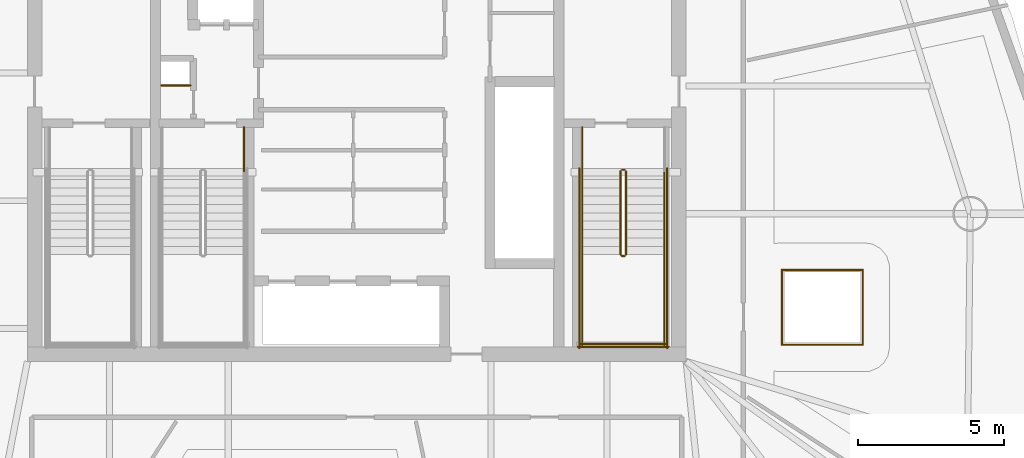
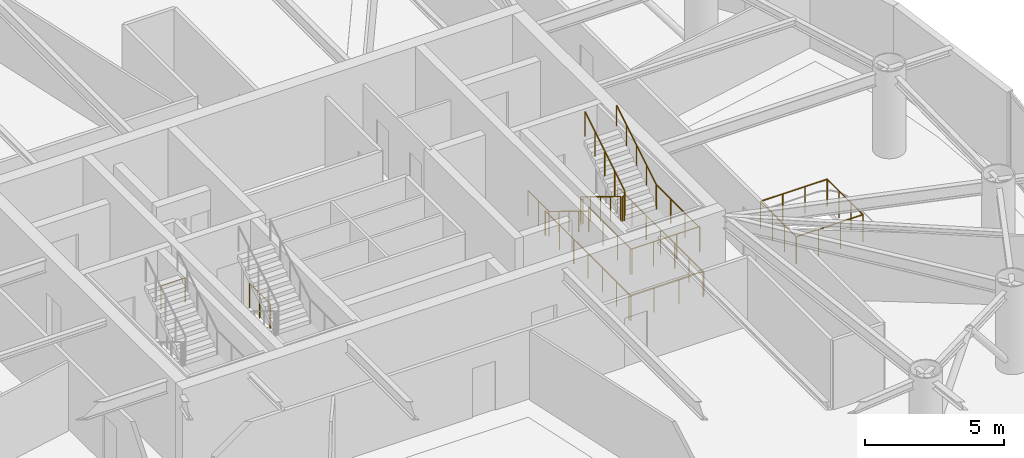
# One storey, part 21 of 22: 19 railings.
"""IFC4 building model written with IfcOpenShell, lengths in metres."""

import ifcopenshell
import ifcopenshell.guid

model = None  # the IFC model being written
_history = None  # IfcOwnerHistory: only IFC2X3 demands one
_inside = {}  # id of a spatial element -> (the spatial element, [elements in it])
_under = {}  # id of a project, library or spatial element -> (it, [spatial elements below it])
_declared = {}  # id of a project -> (the project, [libraries it declares])
_typed = {}  # id of a type object -> (the type object, [elements of that type])
_made_of = {}  # id of a material, layer set ... -> (it, [elements and type objects made of it])


def new_model(schema):
    """Start an empty IFC model of exactly this schema.

    Asked for "IFC4X3", IfcOpenShell would pick the latest addendum, in which some entities
    have other attributes; the version numbers below select the first issue.
    IFC2X3 requires an IfcOwnerHistory on every rooted entity: one is made here for all.
    """
    global model, _history
    if schema == "IFC4X3":
        model = ifcopenshell.file(schema_version=(4, 3, 0, 0))
    else:
        model = ifcopenshell.file(schema=schema)
    _inside.clear()
    _under.clear()
    _declared.clear()
    _typed.clear()
    _made_of.clear()
    _history = None
    if model.schema == "IFC2X3":
        org = make("IfcOrganization", Name="unknown")
        user = make(
            "IfcPersonAndOrganization",
            ThePerson=make("IfcPerson", FamilyName="unknown"),
            TheOrganization=org,
        )
        app = make(
            "IfcApplication",
            ApplicationDeveloper=org,
            Version="unknown",
            ApplicationFullName="unknown",
            ApplicationIdentifier="unknown",
        )
        _history = make(
            "IfcOwnerHistory",
            OwningUser=user,
            OwningApplication=app,
            ChangeAction="ADDED",
            CreationDate=0,
        )
    return model


def make(cls, **values):
    """One entity of the class cls with the attributes given. An attribute that is None is left unset."""
    return model.create_entity(
        cls, **{name: value for name, value in values.items() if value is not None}
    )


def rooted(cls, **values):
    """An entity with a GlobalId (a new one), such as an element, a storey or a relation."""
    return make(cls, GlobalId=ifcopenshell.guid.new(), OwnerHistory=_history, **values)


def si_unit(unit_type, name, prefix=None):
    """IfcSIUnit, for example si_unit("LENGTHUNIT", "METRE", prefix="MILLI")."""
    return make("IfcSIUnit", UnitType=unit_type, Prefix=prefix, Name=name)


def assignment(units):
    """IfcUnitAssignment: the units of a project."""
    return None if units is None else make("IfcUnitAssignment", Units=units)


def point(xyz):
    """IfcCartesianPoint."""
    return None if xyz is None else make("IfcCartesianPoint", Coordinates=xyz)


def direction(xyz):
    """IfcDirection."""
    return None if xyz is None else make("IfcDirection", DirectionRatios=xyz)


def frame(location, z_axis=None, x_axis=None):
    """IfcAxis2Placement3D, a coordinate frame: its origin and axes. An axis left out is left unset."""
    return make(
        "IfcAxis2Placement3D",
        Location=point(location),
        Axis=direction(z_axis),
        RefDirection=direction(x_axis),
    )


def frame_2d(location, x_axis=None):
    """IfcAxis2Placement2D, a coordinate frame in the plane: its origin and x axis."""
    return make(
        "IfcAxis2Placement2D", Location=point(location), RefDirection=direction(x_axis)
    )


def origin():
    """The frame at (0, 0, 0) with its axes left unset."""
    return frame((0.0, 0.0, 0.0))


def origin_2d():
    """The frame at (0, 0) in the plane with its x axis left unset."""
    return frame_2d((0.0, 0.0))


def place(relative_to, where):
    """IfcLocalPlacement: puts the frame where relative to a parent placement (None: the world)."""
    return make(
        "IfcLocalPlacement", PlacementRelTo=relative_to, RelativePlacement=where
    )


def context(
    kind, dimensions, precision=None, world=None, true_north=None, identifier=None
):
    """IfcGeometricRepresentationContext, for example the 3D "Model" context."""
    return make(
        "IfcGeometricRepresentationContext",
        ContextIdentifier=identifier,
        ContextType=kind,
        CoordinateSpaceDimension=dimensions,
        Precision=precision,
        WorldCoordinateSystem=world,
        TrueNorth=true_north,
    )


def subcontext(parent, identifier, kind, view, scale=None):
    """IfcGeometricRepresentationSubContext, for example "Body" below "Model"."""
    return make(
        "IfcGeometricRepresentationSubContext",
        ContextIdentifier=identifier,
        ContextType=kind,
        ParentContext=parent,
        TargetScale=scale,
        TargetView=view,
    )


def project(units=None, contexts=None):
    """IfcProject with its units and contexts."""
    return rooted(
        "IfcProject",
        Name="project",
        RepresentationContexts=contexts,
        UnitsInContext=assignment(units),
    )


def spatial(cls, under=None, at=None, **own):
    """A site, building, storey or space (cls), placed at a placement, below another one or the project."""
    s = rooted(cls, ObjectPlacement=at, **own)
    if under is not None:
        _under.setdefault(under.id(), (under, []))[1].append(s)
    return s


def profile(cls, at=None, kind="AREA", **sizes):
    """A parametric profile (cls). Its sizes go by their IFC names, for example OverallWidth=200.0."""
    return make(cls, ProfileType=kind, Position=at, **sizes)


def circle(**sizes):
    """IfcCircleProfileDef."""
    return profile("IfcCircleProfileDef", **sizes)


def extrude(swept, where, along, depth):
    """IfcExtrudedAreaSolid: the profile swept, set in the frame where, extruded along a direction by depth."""
    return make(
        "IfcExtrudedAreaSolid",
        SweptArea=swept,
        Position=where,
        ExtrudedDirection=direction(along),
        Depth=depth,
    )


def shape(context_of_items, identifier, shape_type, items):
    """IfcShapeRepresentation: the items that make up one representation, for example the "Body"."""
    return make(
        "IfcShapeRepresentation",
        ContextOfItems=context_of_items,
        RepresentationIdentifier=identifier,
        RepresentationType=shape_type,
        Items=items,
    )


def material(Name=None, Category=None):
    """IfcMaterial."""
    return make("IfcMaterial", Name=Name, Category=Category)


def made_of(thing, what):
    """Note that an element or type object is made of a material, layer set ...; save() writes the relation."""
    if what is not None:
        _made_of.setdefault(what.id(), (what, []))[1].append(thing)
    return thing


def type_object(cls, material=None, **own):
    """A type object (cls), such as IfcWallType, which elements share."""
    return made_of(rooted(cls, **own), material)


def element(
    cls,
    number,
    at=None,
    inside=None,
    cuts=None,
    type_object=None,
    material=None,
    context=None,
    identifier="Body",
    shape_type=None,
    held_by="IfcProductDefinitionShape",
    body=None,
    shapes=None,
    **own,
):
    """One element of the class cls, such as IfcWall. Its Tag is "e" and its number.

    at: its placement. inside: the storey or other place that contains it. cuts: it is an
    opening in that element (IfcRelVoidsElement). A single representation is given by context,
    identifier, shape_type and body (its items); several are given by shapes. held_by: the class
    of the entity that holds the representations. save() writes the other relations.
    """
    e = rooted(cls, Tag="e%d" % number, ObjectPlacement=at, **own)
    if body is not None:
        shapes = [shape(context, identifier, shape_type, body)]
    if shapes is not None:
        e.Representation = make(held_by, Representations=shapes)
    if inside is not None:
        _inside.setdefault(inside.id(), (inside, []))[1].append(e)
    if cuts is not None:
        rooted(
            "IfcRelVoidsElement", RelatingBuildingElement=cuts, RelatedOpeningElement=e
        )
    if type_object is not None:
        _typed.setdefault(type_object.id(), (type_object, []))[1].append(e)
    return made_of(e, material)


def aggregate(whole, parts):
    """IfcRelAggregates: a whole, such as a stair, and the parts it consists of."""
    return rooted("IfcRelAggregates", RelatingObject=whole, RelatedObjects=parts)


def save(model, path):
    """Write the relations noted so far, then the file.

    IfcRelAggregates (storeys below a building ...), IfcRelContainedInSpatialStructure (elements
    in a storey), IfcRelDefinesByType, IfcRelAssociatesMaterial and IfcRelDeclares: one each for
    every whole, place, type object, material and project.
    """
    for whole, parts in _under.values():
        aggregate(whole, parts)
    for where, things in _inside.values():
        rooted(
            "IfcRelContainedInSpatialStructure",
            RelatedElements=things,
            RelatingStructure=where,
        )
    for kind, things in _typed.values():
        rooted("IfcRelDefinesByType", RelatedObjects=things, RelatingType=kind)
    for what, things in _made_of.values():
        rooted("IfcRelAssociatesMaterial", RelatedObjects=things, RelatingMaterial=what)
    for by, libraries in _declared.values():
        rooted("IfcRelDeclares", RelatingContext=by, RelatedDefinitions=libraries)
    model.write(path)


model = new_model("IFC4")

# Units and contexts
model_context = context("Model", 3, precision=1e-05, world=origin(), true_north=direction((0.0, 1.0)))
body_context = subcontext(model_context, "Body", "Model", "MODEL_VIEW")
ifc_project = project(units=[si_unit("LENGTHUNIT", "METRE"), si_unit("AREAUNIT", "SQUARE_METRE"), si_unit("VOLUMEUNIT", "CUBIC_METRE"), si_unit("PLANEANGLEUNIT", "RADIAN"), si_unit("MASSUNIT", "GRAM", prefix="KILO")], contexts=[model_context])

# Site, building, storey
site_placement = place(None, origin())
site = spatial("IfcSite", under=ifc_project, at=site_placement, CompositionType="ELEMENT")
building_placement = place(site_placement, origin())
building = spatial("IfcBuilding", under=site, at=building_placement, Name="Bramvorn Convention Spire", CompositionType="ELEMENT")
storey_placement = place(building_placement, frame((0.0, 0.0, 225.10009765625)))
storey = spatial("IfcBuildingStorey", under=building, at=storey_placement, Name="L57", CompositionType="ELEMENT", Elevation=225.10009765625)

# Railings
ifc_material_1 = material(Name="Warm Bronze Perforated Metal & Glass Balustrade", Category="glass")
railing_type_1 = type_object("IfcRailingType", Name="RL-POD-BALUSTRADE-1200", PredefinedType="BALUSTRADE", material=ifc_material_1)
railing_1_placement = place(storey_placement, frame((52.52001953125, 19.1201171875, 0.0)))
element("IfcRailing", 1, at=railing_1_placement, inside=storey, type_object=railing_type_1, Name="L57 Feature atrium void balustrade 1", PredefinedType="BALUSTRADE", context=body_context, shape_type="SweptSolid", body=[
    extrude(circle(Radius=0.02392578125, at=origin_2d()), frame((0.0, 0.0, 1.17578125), z_axis=(1.0, 0.0, 0.0), x_axis=(0.0, 1.0, 0.0)), (0.0, 0.0, 1.0), 2.760009765625),
    extrude(circle(Radius=0.02099609375, at=origin_2d()), origin(), (0.0, 0.0, 1.0), 1.15185546875),
    extrude(circle(Radius=0.02099609375, at=origin_2d()), frame((0.919921875, 0.0, 0.0)), (0.0, 0.0, 1.0), 1.15185546875),
    extrude(circle(Radius=0.02099609375, at=origin_2d()), frame((1.840087890625, 0.0, 0.0)), (0.0, 0.0, 1.0), 1.15185546875),
    extrude(circle(Radius=0.02099609375, at=origin_2d()), frame((2.760009765625, 0.0, 0.0)), (0.0, 0.0, 1.0), 1.15185546875),
])
railing_2_placement = place(storey_placement, frame((55.280029296875, 19.1201171875, 0.0)))
element("IfcRailing", 2, at=railing_2_placement, inside=storey, type_object=railing_type_1, Name="L57 Feature atrium void balustrade 2", PredefinedType="BALUSTRADE", context=body_context, shape_type="SweptSolid", body=[
    extrude(circle(Radius=0.02392578125, at=origin_2d()), frame((0.0, 0.0, 1.17578125), z_axis=(0.0, 1.0, 0.0), x_axis=(-1.0, 0.0, 0.0)), (0.0, 0.0, 1.0), 2.559814453125),
    extrude(circle(Radius=0.02099609375, at=origin_2d()), origin(), (0.0, 0.0, 1.0), 1.15185546875),
    extrude(circle(Radius=0.02099609375, at=origin_2d()), frame((0.0, 0.853271484375, 0.0)), (0.0, 0.0, 1.0), 1.15185546875),
    extrude(circle(Radius=0.02099609375, at=origin_2d()), frame((0.0, 1.70654296875, 0.0)), (0.0, 0.0, 1.0), 1.15185546875),
    extrude(circle(Radius=0.02099609375, at=origin_2d()), frame((0.0, 2.559814453125, 0.0)), (0.0, 0.0, 1.0), 1.15185546875),
])
railing_3_placement = place(storey_placement, frame((55.280029296875, 21.679931640625, 0.0)))
element("IfcRailing", 3, at=railing_3_placement, inside=storey, type_object=railing_type_1, Name="L57 Feature atrium void balustrade 3", PredefinedType="BALUSTRADE", context=body_context, shape_type="SweptSolid", body=[
    extrude(circle(Radius=0.02392578125, at=origin_2d()), frame((0.0, 0.0, 1.17578125), z_axis=(-1.0, 0.0, 0.0), x_axis=(0.0, -1.0, 0.0)), (0.0, 0.0, 1.0), 2.760009765625),
    extrude(circle(Radius=0.02099609375, at=origin_2d()), origin(), (0.0, 0.0, 1.0), 1.15185546875),
    extrude(circle(Radius=0.02099609375, at=origin_2d()), frame((-0.919921875, 0.0, 0.0)), (0.0, 0.0, 1.0), 1.15185546875),
    extrude(circle(Radius=0.02099609375, at=origin_2d()), frame((-1.840087890625, 0.0, 0.0)), (0.0, 0.0, 1.0), 1.15185546875),
    extrude(circle(Radius=0.02099609375, at=origin_2d()), frame((-2.760009765625, 0.0, 0.0)), (0.0, 0.0, 1.0), 1.15185546875),
])
railing_4_placement = place(storey_placement, frame((52.52001953125, 21.679931640625, 0.0)))
element("IfcRailing", 4, at=railing_4_placement, inside=storey, type_object=railing_type_1, Name="L57 Feature atrium void balustrade 4", PredefinedType="BALUSTRADE", context=body_context, shape_type="SweptSolid", body=[
    extrude(circle(Radius=0.02392578125, at=origin_2d()), frame((0.0, 0.0, 1.17578125), z_axis=(0.0, -1.0, 0.0), x_axis=(1.0, 0.0, 0.0)), (0.0, 0.0, 1.0), 2.559814453125),
    extrude(circle(Radius=0.02099609375, at=origin_2d()), origin(), (0.0, 0.0, 1.0), 1.15185546875),
    extrude(circle(Radius=0.02099609375, at=origin_2d()), frame((0.0, -0.853271484375, 0.0)), (0.0, 0.0, 1.0), 1.15185546875),
    extrude(circle(Radius=0.02099609375, at=origin_2d()), frame((0.0, -1.70654296875, 0.0)), (0.0, 0.0, 1.0), 1.15185546875),
    extrude(circle(Radius=0.02099609375, at=origin_2d()), frame((0.0, -2.559814453125, 0.0)), (0.0, 0.0, 1.0), 1.15185546875),
])
ifc_material_2 = material(Name="Painted Steel Balustrade & Guardrail", Category="steel")
railing_type_2 = type_object("IfcRailingType", Name="RL-STAIR-GUARD-1100", PredefinedType="GUARDRAIL", material=ifc_material_2)
railing_5_placement = place(storey_placement, frame((47.010009765625, 25.050048828125, 0.1748046875)))
element("IfcRailing", 5, at=railing_5_placement, inside=storey, type_object=railing_type_2, Name="L57 ST2 stair guard 1", PredefinedType="GUARDRAIL", context=body_context, shape_type="SweptSolid", body=[
    extrude(circle(Radius=0.02392578125, at=origin_2d()), frame((0.0, 0.0, 1.076171875), z_axis=(0.0, -0.852179220489, 0.52325001306), x_axis=(1.0, 0.0, 0.0)), (0.0, 0.0, 1.0), 3.344482421875),
    extrude(circle(Radius=0.02099609375, at=origin_2d()), origin(), (0.0, 0.0, 1.0), 1.052001953125),
    extrude(circle(Radius=0.02099609375, at=origin_2d()), frame((0.0, -0.71240234375, 0.4375)), (0.0, 0.0, 1.0), 1.052001953125),
    extrude(circle(Radius=0.02099609375, at=origin_2d()), frame((0.0, -1.425048828125, 0.875)), (0.0, 0.0, 1.0), 1.052001953125),
    extrude(circle(Radius=0.02099609375, at=origin_2d()), frame((0.0, -2.1376953125, 1.3125)), (0.0, 0.0, 1.0), 1.052001953125),
    extrude(circle(Radius=0.02099609375, at=origin_2d()), frame((0.0, -2.85009765625, 1.75)), (0.0, 0.0, 1.0), 1.052001953125),
])
railing_6_placement = place(storey_placement, frame((47.06005859375, 22.14990234375, 1.9248046875)))
element("IfcRailing", 6, at=railing_6_placement, inside=storey, type_object=railing_type_2, Name="L57 ST2 stair guard 2", PredefinedType="GUARDRAIL", context=body_context, shape_type="SweptSolid", body=[
    extrude(circle(Radius=0.02392578125, at=origin_2d()), frame((0.0, 0.0, 1.076171875), z_axis=(1.0, 0.0, 0.0), x_axis=(0.0, 1.0, 0.0)), (0.0, 0.0, 1.0), 0.079833984375),
    extrude(circle(Radius=0.02099609375, at=origin_2d()), origin(), (0.0, 0.0, 1.0), 1.052001953125),
    extrude(circle(Radius=0.02099609375, at=origin_2d()), frame((0.079833984375, 0.0, 0.0)), (0.0, 0.0, 1.0), 1.052001953125),
])
for number, where, name in (
    (7, (45.699951171875, 22.199951171875, 1.9248046875), "L57 ST2 stair guard 3"),
    (8, (48.5, 22.199951171875, 1.9248046875), "L57 ST2 stair guard 4"),
):
    element("IfcRailing", number, at=place(storey_placement, frame(where)), inside=storey, type_object=railing_type_2, Name=name, PredefinedType="GUARDRAIL", context=body_context, shape_type="SweptSolid", body=[
        extrude(circle(Radius=0.02392578125, at=origin_2d()), frame((0.0, 0.0, 1.076171875), z_axis=(0.0, -1.0, 0.0), x_axis=(1.0, 0.0, 0.0)), (0.0, 0.0, 1.0), 3.099853515625),
        extrude(circle(Radius=0.02099609375, at=origin_2d()), origin(), (0.0, 0.0, 1.0), 1.052001953125),
        extrude(circle(Radius=0.02099609375, at=origin_2d()), frame((0.0, -1.033203125, 0.0)), (0.0, 0.0, 1.0), 1.052001953125),
        extrude(circle(Radius=0.02099609375, at=origin_2d()), frame((0.0, -2.066650390625, 0.0)), (0.0, 0.0, 1.0), 1.052001953125),
        extrude(circle(Radius=0.02099609375, at=origin_2d()), frame((0.0, -3.099853515625, 0.0)), (0.0, 0.0, 1.0), 1.052001953125),
    ])
railing_7_placement = place(storey_placement, frame((45.64990234375, 19.14990234375, 1.9248046875)))
element("IfcRailing", 9, at=railing_7_placement, inside=storey, type_object=railing_type_2, Name="L57 ST2 stair guard 5", PredefinedType="GUARDRAIL", context=body_context, shape_type="SweptSolid", body=[
    extrude(circle(Radius=0.02392578125, at=origin_2d()), frame((0.0, 0.0, 1.076171875), z_axis=(1.0, 0.0, 0.0), x_axis=(0.0, 1.0, 0.0)), (0.0, 0.0, 1.0), 2.900146484375),
    extrude(circle(Radius=0.02099609375, at=origin_2d()), origin(), (0.0, 0.0, 1.0), 1.052001953125),
    extrude(circle(Radius=0.02099609375, at=origin_2d()), frame((0.966796875, 0.0, 0.0)), (0.0, 0.0, 1.0), 1.052001953125),
    extrude(circle(Radius=0.02099609375, at=origin_2d()), frame((1.933349609375, 0.0, 0.0)), (0.0, 0.0, 1.0), 1.052001953125),
    extrude(circle(Radius=0.02099609375, at=origin_2d()), frame((2.900146484375, 0.0, 0.0)), (0.0, 0.0, 1.0), 1.052001953125),
])
railing_8_placement = place(storey_placement, frame((47.18994140625, 22.199951171875, 2.099853515625)))
element("IfcRailing", 10, at=railing_8_placement, inside=storey, type_object=railing_type_2, Name="L57 ST2 stair guard 6", PredefinedType="GUARDRAIL", context=body_context, shape_type="SweptSolid", body=[
    extrude(circle(Radius=0.02392578125, at=origin_2d()), frame((0.0, 0.0, 1.076171875), z_axis=(0.0, 0.852179220489, 0.52325001306), x_axis=(-1.0, 0.0, 0.0)), (0.0, 0.0, 1.0), 3.344482421875),
    extrude(circle(Radius=0.02099609375, at=origin_2d()), origin(), (0.0, 0.0, 1.0), 1.052001953125),
    extrude(circle(Radius=0.02099609375, at=origin_2d()), frame((0.0, 0.71240234375, 0.4375)), (0.0, 0.0, 1.0), 1.052001953125),
    extrude(circle(Radius=0.02099609375, at=origin_2d()), frame((0.0, 1.425048828125, 0.875)), (0.0, 0.0, 1.0), 1.052001953125),
    extrude(circle(Radius=0.02099609375, at=origin_2d()), frame((0.0, 2.1376953125, 1.3125)), (0.0, 0.0, 1.0), 1.052001953125),
    extrude(circle(Radius=0.02099609375, at=origin_2d()), frame((0.0, 2.85009765625, 1.75)), (0.0, 0.0, 1.0), 1.052001953125),
])
railing_9_placement = place(storey_placement, frame((47.06005859375, 25.10009765625, 0.0)))
element("IfcRailing", 11, at=railing_9_placement, inside=storey, type_object=railing_type_2, Name="L57 ST2 stair guard 7", PredefinedType="GUARDRAIL", context=body_context, shape_type="SweptSolid", body=[
    extrude(circle(Radius=0.02392578125, at=origin_2d()), frame((0.0, 0.0, 1.076171875), z_axis=(1.0, 0.0, 0.0), x_axis=(0.0, 1.0, 0.0)), (0.0, 0.0, 1.0), 0.079833984375),
    extrude(circle(Radius=0.02099609375, at=origin_2d()), origin(), (0.0, 0.0, 1.0), 1.052001953125),
    extrude(circle(Radius=0.02099609375, at=origin_2d()), frame((0.079833984375, 0.0, 0.0)), (0.0, 0.0, 1.0), 1.052001953125),
])
railing_10_placement = place(storey_placement, frame((45.699951171875, 26.550048828125, 0.0)))
element("IfcRailing", 12, at=railing_10_placement, inside=storey, type_object=railing_type_2, Name="L57 ST2 stair guard 8", PredefinedType="GUARDRAIL", context=body_context, shape_type="SweptSolid", body=[
    extrude(circle(Radius=0.02392578125, at=origin_2d()), frame((0.0, 0.0, 1.076171875), z_axis=(0.0, -1.0, 0.0), x_axis=(1.0, 0.0, 0.0)), (0.0, 0.0, 1.0), 1.5),
    extrude(circle(Radius=0.02099609375, at=origin_2d()), origin(), (0.0, 0.0, 1.0), 1.052001953125),
    extrude(circle(Radius=0.02099609375, at=origin_2d()), frame((0.0, -0.75, 0.0)), (0.0, 0.0, 1.0), 1.052001953125),
    extrude(circle(Radius=0.02099609375, at=origin_2d()), frame((0.0, -1.5, 0.0)), (0.0, 0.0, 1.0), 1.052001953125),
])
for number, where, name in (
    (13, (45.60009765625, 25.14990234375, 0.0), "L57 ST2 stair guard 10"),
    (14, (48.60009765625, 25.14990234375, 0.0), "L57 ST2 stair guard 11"),
):
    element("IfcRailing", number, at=place(storey_placement, frame(where)), inside=storey, type_object=railing_type_2, Name=name, PredefinedType="GUARDRAIL", context=body_context, shape_type="SweptSolid", body=[
        extrude(circle(Radius=0.02392578125, at=origin_2d()), frame((0.0, 0.0, 1.076171875), z_axis=(0.0, -1.0, 0.0), x_axis=(1.0, 0.0, 0.0)), (0.0, 0.0, 1.0), 6.14990234375),
        extrude(circle(Radius=0.02099609375, at=origin_2d()), origin(), (0.0, 0.0, 1.0), 1.052001953125),
        extrude(circle(Radius=0.02099609375, at=origin_2d()), frame((0.0, -1.02490234375, 0.0)), (0.0, 0.0, 1.0), 1.052001953125),
        extrude(circle(Radius=0.02099609375, at=origin_2d()), frame((0.0, -2.050048828125, 0.0)), (0.0, 0.0, 1.0), 1.052001953125),
        extrude(circle(Radius=0.02099609375, at=origin_2d()), frame((0.0, -3.074951171875, 0.0)), (0.0, 0.0, 1.0), 1.052001953125),
        extrude(circle(Radius=0.02099609375, at=origin_2d()), frame((0.0, -4.099853515625, 0.0)), (0.0, 0.0, 1.0), 1.052001953125),
        extrude(circle(Radius=0.02099609375, at=origin_2d()), frame((0.0, -5.125, 0.0)), (0.0, 0.0, 1.0), 1.052001953125),
        extrude(circle(Radius=0.02099609375, at=origin_2d()), frame((0.0, -6.14990234375, 0.0)), (0.0, 0.0, 1.0), 1.052001953125),
    ])
railing_11_placement = place(storey_placement, frame((45.550048828125, 19.050048828125, 0.0)))
element("IfcRailing", 15, at=railing_11_placement, inside=storey, type_object=railing_type_2, Name="L57 ST2 stair guard 12", PredefinedType="GUARDRAIL", context=body_context, shape_type="SweptSolid", body=[
    extrude(circle(Radius=0.02392578125, at=origin_2d()), frame((0.0, 0.0, 1.076171875), z_axis=(1.0, 0.0, 0.0), x_axis=(0.0, 1.0, 0.0)), (0.0, 0.0, 1.0), 3.099853515625),
    extrude(circle(Radius=0.02099609375, at=origin_2d()), origin(), (0.0, 0.0, 1.0), 1.052001953125),
    extrude(circle(Radius=0.02099609375, at=origin_2d()), frame((1.033203125, 0.0, 0.0)), (0.0, 0.0, 1.0), 1.052001953125),
    extrude(circle(Radius=0.02099609375, at=origin_2d()), frame((2.066650390625, 0.0, 0.0)), (0.0, 0.0, 1.0), 1.052001953125),
    extrude(circle(Radius=0.02099609375, at=origin_2d()), frame((3.099853515625, 0.0, 0.0)), (0.0, 0.0, 1.0), 1.052001953125),
])
railing_12_placement = place(storey_placement, frame((34.14990234375, 26.550048828125, 0.0)))
element("IfcRailing", 16, at=railing_12_placement, inside=storey, type_object=railing_type_2, Name="L57 ST3 stair guard 9", PredefinedType="GUARDRAIL", context=body_context, shape_type="SweptSolid", body=[
    extrude(circle(Radius=0.02392578125, at=origin_2d()), frame((0.0, 0.0, 1.076171875), z_axis=(0.0, -1.0, 0.0), x_axis=(1.0, 0.0, 0.0)), (0.0, 0.0, 1.0), 1.5),
    extrude(circle(Radius=0.02099609375, at=origin_2d()), origin(), (0.0, 0.0, 1.0), 1.052001953125),
    extrude(circle(Radius=0.02099609375, at=origin_2d()), frame((0.0, -0.75, 0.0)), (0.0, 0.0, 1.0), 1.052001953125),
    extrude(circle(Radius=0.02099609375, at=origin_2d()), frame((0.0, -1.5, 0.0)), (0.0, 0.0, 1.0), 1.052001953125),
])
railing_13_placement = place(storey_placement, frame((31.320068359375, 27.97998046875, 0.0)))
element("IfcRailing", 17, at=railing_13_placement, inside=storey, type_object=railing_type_2, Name="L57 Telecom riser shaft opening safety guardrail", PredefinedType="GUARDRAIL", context=body_context, shape_type="SweptSolid", body=[
    extrude(circle(Radius=0.02392578125, at=origin_2d()), frame((0.0, 0.0, 1.076171875), z_axis=(1.0, 0.0, 0.0), x_axis=(0.0, 1.0, 0.0)), (0.0, 0.0, 1.0), 1.0),
    extrude(circle(Radius=0.02099609375, at=origin_2d()), origin(), (0.0, 0.0, 1.0), 1.052001953125),
    extrude(circle(Radius=0.02099609375, at=origin_2d()), frame((1.0, 0.0, 0.0)), (0.0, 0.0, 1.0), 1.052001953125),
])
ifc_material_3 = material(Name="Brushed Bronze Tubular Handrail", Category="aluminium")
railing_type_3 = type_object("IfcRailingType", Name="RL-STAIR-HR-920", PredefinedType="HANDRAIL", material=ifc_material_3)
railing_14_placement = place(storey_placement, frame((45.699951171875, 25.050048828125, 0.1748046875)))
element("IfcRailing", 18, at=railing_14_placement, inside=storey, type_object=railing_type_3, Name="L57 ST2 stair handrail 1", PredefinedType="HANDRAIL", context=body_context, shape_type="SweptSolid", body=[
    extrude(circle(Radius=0.02392578125, at=origin_2d()), frame((0.0, 0.0, 0.89599609375), z_axis=(0.0, -0.852179220489, 0.52325001306), x_axis=(1.0, 0.0, 0.0)), (0.0, 0.0, 1.0), 3.344482421875),
    extrude(circle(Radius=0.02099609375, at=origin_2d()), origin(), (0.0, 0.0, 1.0), 0.871826171875),
    extrude(circle(Radius=0.02099609375, at=origin_2d()), frame((0.0, -0.71240234375, 0.4375)), (0.0, 0.0, 1.0), 0.871826171875),
    extrude(circle(Radius=0.02099609375, at=origin_2d()), frame((0.0, -1.425048828125, 0.875)), (0.0, 0.0, 1.0), 0.871826171875),
    extrude(circle(Radius=0.02099609375, at=origin_2d()), frame((0.0, -2.1376953125, 1.3125)), (0.0, 0.0, 1.0), 0.871826171875),
    extrude(circle(Radius=0.02099609375, at=origin_2d()), frame((0.0, -2.85009765625, 1.75)), (0.0, 0.0, 1.0), 0.871826171875),
])
railing_15_placement = place(storey_placement, frame((48.5, 22.199951171875, 2.099853515625)))
element("IfcRailing", 19, at=railing_15_placement, inside=storey, type_object=railing_type_3, Name="L57 ST2 stair handrail 2", PredefinedType="HANDRAIL", context=body_context, shape_type="SweptSolid", body=[
    extrude(circle(Radius=0.02392578125, at=origin_2d()), frame((0.0, 0.0, 0.89599609375), z_axis=(0.0, 0.852179220489, 0.52325001306), x_axis=(-1.0, 0.0, 0.0)), (0.0, 0.0, 1.0), 3.344482421875),
    extrude(circle(Radius=0.02099609375, at=origin_2d()), origin(), (0.0, 0.0, 1.0), 0.871826171875),
    extrude(circle(Radius=0.02099609375, at=origin_2d()), frame((0.0, 0.71240234375, 0.4375)), (0.0, 0.0, 1.0), 0.871826171875),
    extrude(circle(Radius=0.02099609375, at=origin_2d()), frame((0.0, 1.425048828125, 0.875)), (0.0, 0.0, 1.0), 0.871826171875),
    extrude(circle(Radius=0.02099609375, at=origin_2d()), frame((0.0, 2.1376953125, 1.3125)), (0.0, 0.0, 1.0), 0.871826171875),
    extrude(circle(Radius=0.02099609375, at=origin_2d()), frame((0.0, 2.85009765625, 1.75)), (0.0, 0.0, 1.0), 0.871826171875),
])

save(model, "model.ifc")
